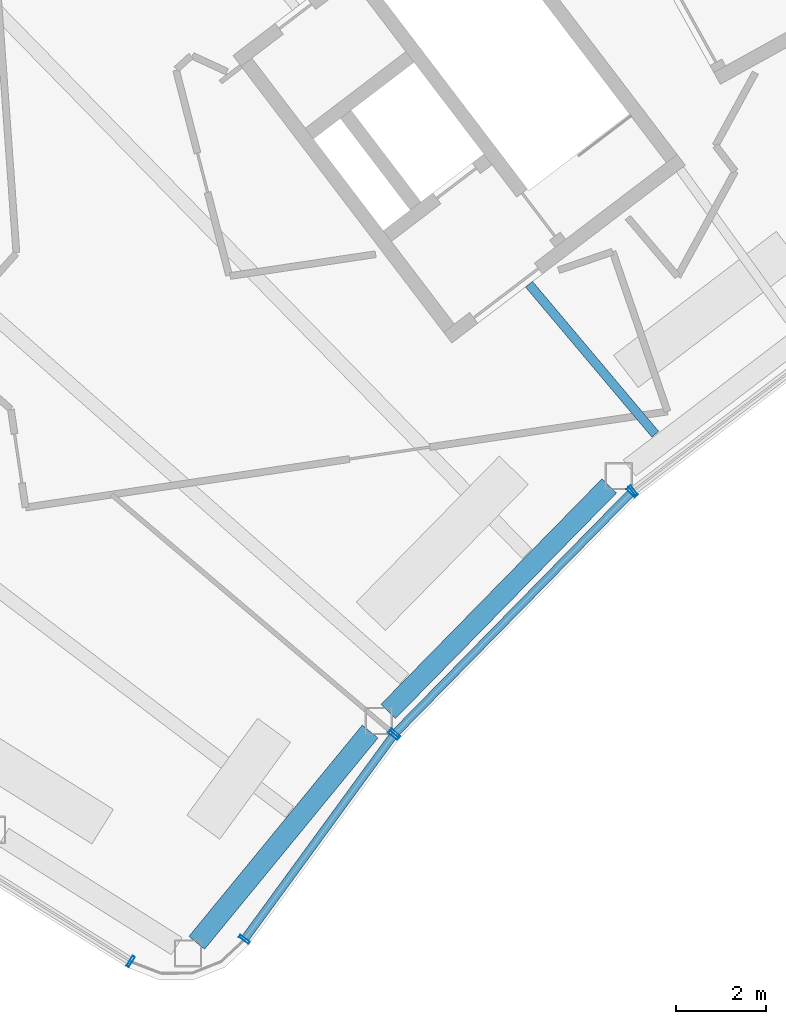
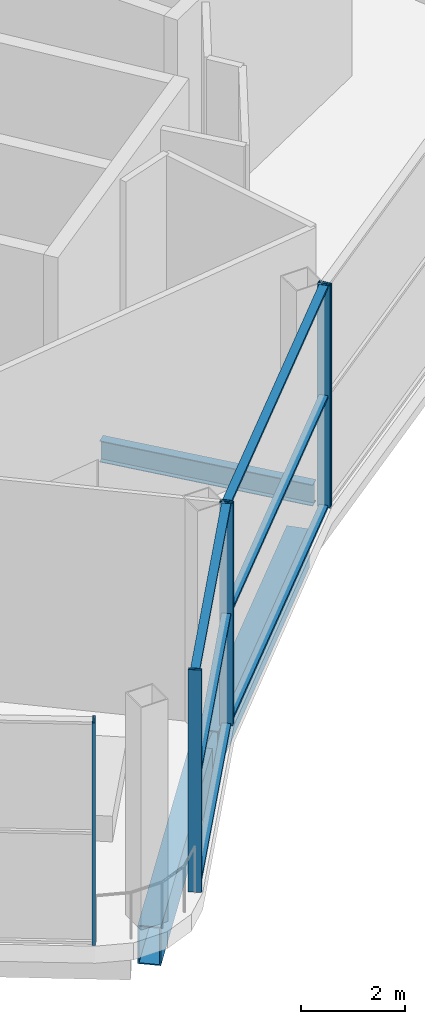
# One storey, part 6 of 44: 12 members, 3 beams, 4 elements without a shape of their own.
"""IFC4 building model written with IfcOpenShell, lengths in metres."""

from ifc_helpers import new_model, si_unit, direction, frame, origin, origin_2d, place, context, subcontext, project, spatial, hollow_rectangle, i_section, extrude, material, layer, layer_set, material_profile, profile_set, type_object, element, aggregate, save


model = new_model("IFC4")

# Units and contexts
model_context = context("Model", 3, precision=1e-05, world=origin(), true_north=direction((0.0, 1.0)))
body_context = subcontext(model_context, "Body", "Model", "MODEL_VIEW")
ifc_project = project(units=[si_unit("LENGTHUNIT", "METRE"), si_unit("AREAUNIT", "SQUARE_METRE"), si_unit("VOLUMEUNIT", "CUBIC_METRE"), si_unit("PLANEANGLEUNIT", "RADIAN"), si_unit("MASSUNIT", "GRAM", prefix="KILO")], contexts=[model_context])

# Site, building, storey
site_placement = place(None, origin())
site = spatial("IfcSite", under=ifc_project, at=site_placement, CompositionType="ELEMENT")
building_placement = place(site_placement, origin())
building = spatial("IfcBuilding", under=site, at=building_placement, Name="Tuul Gate Civic Tower", CompositionType="ELEMENT")
storey_placement = place(building_placement, frame((0.0, 0.0, 354.60009765625)))
storey = spatial("IfcBuildingStorey", under=building, at=storey_placement, Name="Observation level 2", CompositionType="ELEMENT", Elevation=354.60009765625)

# Curtain wall, member
ifc_material_1 = material(Name="Stainless steel", Category="steel")
ifc_layer = layer(ifc_material_1, 0.199951171875)
ifc_layer_set = layer_set([ifc_layer], Name="Stainless steel")
curtain_wall_type = type_object("IfcCurtainWallType", Name="Curtain wall CW4", PredefinedType="NOTDEFINED", material=ifc_layer_set)
curtain_wall_1_placement = place(storey_placement, origin())
curtain_wall_1 = element("IfcCurtainWall", 1, at=curtain_wall_1_placement, inside=storey, type_object=curtain_wall_type, Name="Curtain wall CW4", PredefinedType="NOTDEFINED")
ifc_material_2 = material(Name="Stainless steel", Category="steel")
ifc_material_profile_1 = material_profile(ifc_material_2, hollow_rectangle(XDim=0.260009765625, YDim=0.06005859375, WallThickness=0.006103515625, at=origin_2d()), Name="CW4 mullion")
ifc_profile_set_1 = profile_set([ifc_material_profile_1], Name="Stainless steel")
member_type_1 = type_object("IfcMemberType", Name="CW4 mullion", PredefinedType="MULLION", material=ifc_profile_set_1)
member_1_placement = place(storey_placement, frame((-43.38037109375, -31.4169921875, 0.0), z_axis=(0.0, 0.0, 1.0), x_axis=(0.529911707044, 0.848052818366, 0.0)))
member_1 = element("IfcMember", 2, at=member_1_placement, type_object=member_type_1, Name="Mullion", PredefinedType="MULLION", context=body_context, shape_type="SweptSolid", body=[
    extrude(hollow_rectangle(XDim=0.260009765625, YDim=0.06005859375, WallThickness=0.006103515625, at=origin_2d()), origin(), (0.0, 0.0, 1.0), 5.199951171875),
])
aggregate(curtain_wall_1, [member_1])

# Curtain wall, members
curtain_wall_2_placement = place(storey_placement, origin())
curtain_wall_2 = element("IfcCurtainWall", 3, at=curtain_wall_2_placement, inside=storey, type_object=curtain_wall_type, Name="Curtain wall CW4", PredefinedType="NOTDEFINED")
member_2_placement = place(storey_placement, frame((-40.8623046875, -30.9306640625, 0.0), z_axis=(0.0, 0.0, 1.0), x_axis=(-0.807595190444, 0.589737236717, 0.0)))
member_2 = element("IfcMember", 4, at=member_2_placement, type_object=member_type_1, Name="Mullion", PredefinedType="MULLION", context=body_context, shape_type="SweptSolid", body=[
    extrude(hollow_rectangle(XDim=0.260009765625, YDim=0.06005859375, WallThickness=0.006103515625, at=origin_2d()), origin(), (0.0, 0.0, 1.0), 5.199951171875),
])
member_3_placement = place(storey_placement, frame((-37.562744140625, -26.412109375, 0.0), z_axis=(0.0, 0.0, 1.0), x_axis=(-0.807595190444, 0.589737236717, 0.0)))
member_3 = element("IfcMember", 5, at=member_3_placement, type_object=member_type_1, Name="Mullion", PredefinedType="MULLION", context=body_context, shape_type="SweptSolid", body=[
    extrude(hollow_rectangle(XDim=0.260009765625, YDim=0.06005859375, WallThickness=0.006103515625, at=origin_2d()), origin(), (0.0, 0.0, 1.0), 5.199951171875),
])

curtain_wall_3_placement = place(storey_placement, origin())
curtain_wall_3 = element("IfcCurtainWall", 6, at=curtain_wall_3_placement, inside=storey, type_object=curtain_wall_type, Name="Curtain wall CW4", PredefinedType="NOTDEFINED")
member_4_placement = place(storey_placement, frame((-37.52392578125, -26.36669921875, 0.0), z_axis=(0.0, 0.0, 1.0), x_axis=(-0.714048093092, 0.700096651008, 0.0)))
member_4 = element("IfcMember", 7, at=member_4_placement, type_object=member_type_1, Name="Mullion", PredefinedType="MULLION", context=body_context, shape_type="SweptSolid", body=[
    extrude(hollow_rectangle(XDim=0.260009765625, YDim=0.06005859375, WallThickness=0.006103515625, at=origin_2d()), origin(), (0.0, 0.0, 1.0), 5.199951171875),
])
member_5_placement = place(storey_placement, frame((-32.297119140625, -21.035400390625, 0.0), z_axis=(0.0, 0.0, 1.0), x_axis=(-0.714048093092, 0.700096651008, 0.0)))
member_5 = element("IfcMember", 8, at=member_5_placement, type_object=member_type_1, Name="Mullion", PredefinedType="MULLION", context=body_context, shape_type="SweptSolid", body=[
    extrude(hollow_rectangle(XDim=0.260009765625, YDim=0.06005859375, WallThickness=0.006103515625, at=origin_2d()), origin(), (0.0, 0.0, 1.0), 5.199951171875),
])

# Curtain wall, member
curtain_wall_4_placement = place(storey_placement, origin())
curtain_wall_4 = element("IfcCurtainWall", 9, at=curtain_wall_4_placement, inside=storey, type_object=curtain_wall_type, Name="Curtain wall CW4", PredefinedType="NOTDEFINED")
member_6_placement = place(storey_placement, frame((-32.252197265625, -20.995849609375, 0.0), z_axis=(0.0, 0.0, 1.0), x_axis=(-0.605851052715, 0.795578092914, 0.0)))
member_6 = element("IfcMember", 10, at=member_6_placement, type_object=member_type_1, Name="Mullion", PredefinedType="MULLION", context=body_context, shape_type="SweptSolid", body=[
    extrude(hollow_rectangle(XDim=0.260009765625, YDim=0.06005859375, WallThickness=0.006103515625, at=origin_2d()), origin(), (0.0, 0.0, 1.0), 5.199951171875),
])
aggregate(curtain_wall_4, [member_6])

# Member
ifc_material_3 = material(Name="Stainless steel", Category="steel")
ifc_material_profile_2 = material_profile(ifc_material_3, hollow_rectangle(XDim=0.179931640625, YDim=0.06005859375, WallThickness=0.006103515625, at=origin_2d()), Name="CW4 transom")
ifc_profile_set_2 = profile_set([ifc_material_profile_2], Name="Stainless steel")
member_type_2 = type_object("IfcMemberType", Name="CW4 transom", PredefinedType="USERDEFINED", material=ifc_profile_set_2)
member_7_placement = place(storey_placement, frame((-40.8447265625, -30.906494140625, 0.02978515625), z_axis=(0.589767736198, 0.807572917661, 0.0), x_axis=(-0.807572917661, 0.589767736198, 0.0)))
member_7 = element("IfcMember", 11, at=member_7_placement, type_object=member_type_2, Name="Transom", ObjectType="TRANSOM", PredefinedType="USERDEFINED", context=body_context, shape_type="SweptSolid", body=[
    extrude(hollow_rectangle(XDim=0.179931640625, YDim=0.06005859375, WallThickness=0.006103515625, at=origin_2d()), origin(), (0.0, 0.0, 1.0), 5.53515625),
])

member_8_placement = place(storey_placement, frame((-40.8447265625, -30.906494140625, 2.599853515625), z_axis=(0.589767736198, 0.807572917661, 0.0), x_axis=(-0.807572917661, 0.589767736198, 0.0)))
member_8 = element("IfcMember", 12, at=member_8_placement, type_object=member_type_2, Name="Transom", ObjectType="TRANSOM", PredefinedType="USERDEFINED", context=body_context, shape_type="SweptSolid", body=[
    extrude(hollow_rectangle(XDim=0.179931640625, YDim=0.06005859375, WallThickness=0.006103515625, at=origin_2d()), origin(), (0.0, 0.0, 1.0), 5.53515625),
])

member_9_placement = place(storey_placement, frame((-40.8447265625, -30.906494140625, 5.169921875), z_axis=(0.589767736198, 0.807572917661, 0.0), x_axis=(-0.807572917661, 0.589767736198, 0.0)))
member_9 = element("IfcMember", 13, at=member_9_placement, type_object=member_type_2, Name="Transom", ObjectType="TRANSOM", PredefinedType="USERDEFINED", context=body_context, shape_type="SweptSolid", body=[
    extrude(hollow_rectangle(XDim=0.179931640625, YDim=0.06005859375, WallThickness=0.006103515625, at=origin_2d()), origin(), (0.0, 0.0, 1.0), 5.53515625),
])

aggregate(curtain_wall_2, [member_2, member_3, member_7, member_8, member_9])

member_10_placement = place(storey_placement, frame((-37.5029296875, -26.34521484375, 0.02978515625), z_axis=(0.700083605586, 0.714060883392, 0.0), x_axis=(-0.714060883392, 0.700083605586, 0.0)))
member_10 = element("IfcMember", 14, at=member_10_placement, type_object=member_type_2, Name="Transom", ObjectType="TRANSOM", PredefinedType="USERDEFINED", context=body_context, shape_type="SweptSolid", body=[
    extrude(hollow_rectangle(XDim=0.179931640625, YDim=0.06005859375, WallThickness=0.006103515625, at=origin_2d()), origin(), (0.0, 0.0, 1.0), 7.406005859375),
])

member_11_placement = place(storey_placement, frame((-37.5029296875, -26.34521484375, 2.599853515625), z_axis=(0.700083605586, 0.714060883392, 0.0), x_axis=(-0.714060883392, 0.700083605586, 0.0)))
member_11 = element("IfcMember", 15, at=member_11_placement, type_object=member_type_2, Name="Transom", ObjectType="TRANSOM", PredefinedType="USERDEFINED", context=body_context, shape_type="SweptSolid", body=[
    extrude(hollow_rectangle(XDim=0.179931640625, YDim=0.06005859375, WallThickness=0.006103515625, at=origin_2d()), origin(), (0.0, 0.0, 1.0), 7.406005859375),
])

member_12_placement = place(storey_placement, frame((-37.5029296875, -26.34521484375, 5.169921875), z_axis=(0.700083605586, 0.714060883392, 0.0), x_axis=(-0.714060883392, 0.700083605586, 0.0)))
member_12 = element("IfcMember", 16, at=member_12_placement, type_object=member_type_2, Name="Transom", ObjectType="TRANSOM", PredefinedType="USERDEFINED", context=body_context, shape_type="SweptSolid", body=[
    extrude(hollow_rectangle(XDim=0.179931640625, YDim=0.06005859375, WallThickness=0.006103515625, at=origin_2d()), origin(), (0.0, 0.0, 1.0), 7.406005859375),
])

aggregate(curtain_wall_3, [member_4, member_5, member_10, member_11, member_12])

# Beams
ifc_material_4 = material(Name="Steel S355", Category="steel")
ifc_material_profile_3 = material_profile(ifc_material_4, i_section(OverallWidth=0.199951171875, OverallDepth=0.5, WebThickness=0.010009765625, FlangeThickness=0.01611328125, at=origin_2d()), Name="PG500x200x10x16")
ifc_profile_set_3 = profile_set([ifc_material_profile_3], Name="Steel S355")
beam_type_1 = type_object("IfcBeamType", Name="STR-FLOOR BEAM-PG500x200x10x16", PredefinedType="BEAM", material=ifc_profile_set_3)
beam_1_placement = place(storey_placement, frame((-31.765869140625, -19.74462890625, -0.650146484375), z_axis=(-0.64417038831, 0.764882024122, 0.0), x_axis=(-0.764882024122, -0.64417038831, 0.0)))
element("IfcBeam", 17, at=beam_1_placement, inside=storey, type_object=beam_type_1, Name="Floor beam", PredefinedType="BEAM", context=body_context, shape_type="SweptSolid", body=[
    extrude(i_section(OverallWidth=0.199951171875, OverallDepth=0.5, WebThickness=0.010009765625, FlangeThickness=0.01611328125, at=origin_2d()), origin(), (0.0, 0.0, 1.0), 4.34033203125),
])
ifc_material_5 = material(Name="Steel S355", Category="steel")
ifc_material_profile_4 = material_profile(ifc_material_5, hollow_rectangle(XDim=0.449951171875, YDim=0.89990234375, WallThickness=0.02490234375, at=origin_2d()), Name="BOX900x450x25")
ifc_profile_set_4 = profile_set([ifc_material_profile_4], Name="Steel S355")
beam_type_2 = type_object("IfcBeamType", Name="STR-SPANDREL BEAM-BOX900x450x25", PredefinedType="BEAM", material=ifc_profile_set_4)
beam_2_placement = place(storey_placement, frame((-41.918701171875, -31.007080078125, -0.85009765625), z_axis=(0.63439697252, 0.773007426392, 0.0), x_axis=(-0.773007426392, 0.63439697252, 0.0)))
element("IfcBeam", 18, at=beam_2_placement, inside=storey, type_object=beam_type_2, Name="Spandrel beam", PredefinedType="BEAM", context=body_context, shape_type="SweptSolid", body=[
    extrude(hollow_rectangle(XDim=0.449951171875, YDim=0.89990234375, WallThickness=0.02490234375, at=origin_2d()), origin(), (0.0, 0.0, 1.0), 6.052001953125),
])
beam_3_placement = place(storey_placement, frame((-37.678955078125, -25.8828125, -0.85009765625), z_axis=(0.699947818205, 0.714193987507, 0.0), x_axis=(-0.714193987507, 0.699947818205, 0.0)))
element("IfcBeam", 19, at=beam_3_placement, inside=storey, type_object=beam_type_2, Name="Spandrel beam", PredefinedType="BEAM", context=body_context, shape_type="SweptSolid", body=[
    extrude(hollow_rectangle(XDim=0.449951171875, YDim=0.89990234375, WallThickness=0.02490234375, at=origin_2d()), origin(), (0.0, 0.0, 1.0), 6.991943359375),
])

save(model, "model.ifc")
